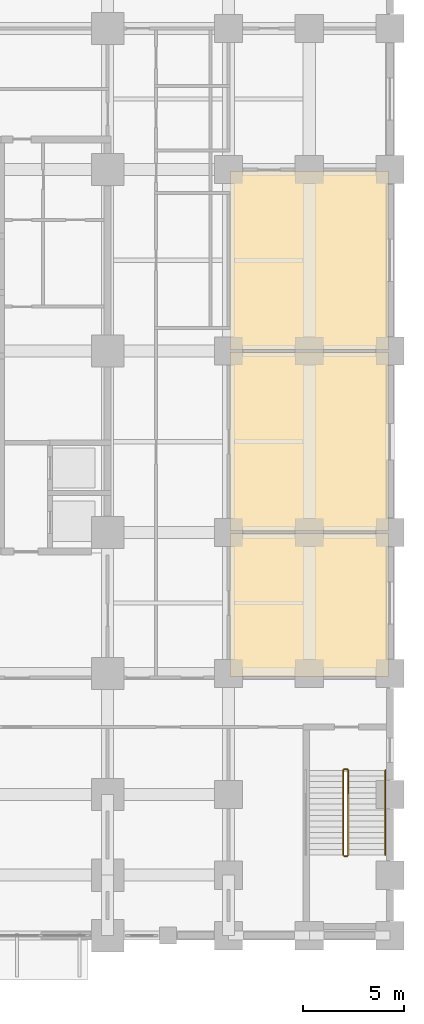
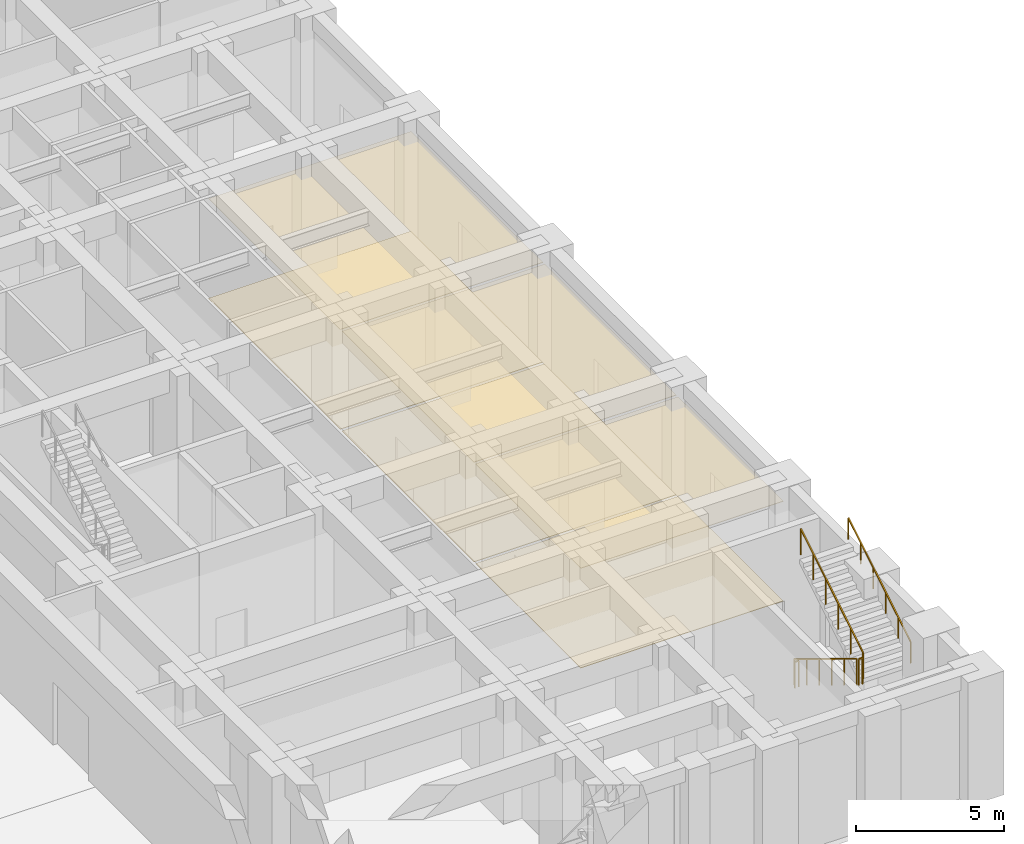
# One storey, part 18 of 20: 6 coverings, 5 railings.
"""IFC4 building model written with IfcOpenShell, lengths in metres."""

from ifc_helpers import new_model, si_unit, direction, frame, origin, origin_2d, place, context, subcontext, project, spatial, polyline, rectangle, outline, extrude, material, layer, layer_set, type_object, element, save


model = new_model("IFC4")

# Units and contexts
model_context = context("Model", 3, precision=1e-05, world=origin(), true_north=direction((0.0, 1.0)))
body_context = subcontext(model_context, "Body", "Model", "MODEL_VIEW")
ifc_project = project(units=[si_unit("LENGTHUNIT", "METRE"), si_unit("AREAUNIT", "SQUARE_METRE"), si_unit("VOLUMEUNIT", "CUBIC_METRE"), si_unit("PLANEANGLEUNIT", "RADIAN"), si_unit("MASSUNIT", "GRAM", prefix="KILO")], contexts=[model_context])

# Site, building, storey
site_placement = place(None, origin())
site = spatial("IfcSite", under=ifc_project, at=site_placement, CompositionType="ELEMENT")
building_placement = place(site_placement, origin())
building = spatial("IfcBuilding", under=site, at=building_placement, Name="Zulmaris Gate Convention Tower", CompositionType="ELEMENT")
storey_placement = place(building_placement, origin())
storey = spatial("IfcBuildingStorey", under=building, at=storey_placement, Name="L00", CompositionType="ELEMENT", Elevation=0.0)

# Coverings
ifc_material_1 = material(Name="Mineral Fibre Acoustic Ceiling Tile")
ifc_layer_1 = layer(ifc_material_1, 0.02001953125, Name="Mineral Fibre Acoustic Ceiling Tile")
ifc_layer_set_1 = layer_set([ifc_layer_1], Name="Mineral Fibre Acoustic Ceiling Tile")
covering_type_1 = type_object("IfcCoveringType", Name="CLG-ACOUSTIC-600", PredefinedType="CEILING", material=ifc_layer_set_1)
covering_1_placement = place(storey_placement, frame((0.0, 0.0, 4.099853515625)))
element("IfcCovering", 1, at=covering_1_placement, inside=storey, type_object=covering_type_1, Name="CLG-L00-R72", PredefinedType="CEILING", context=body_context, shape_type="SweptSolid", body=[
    extrude(outline(polyline([(26.06005859375, -16.139892578125), (33.93994140625, -16.139892578125), (33.93994140625, -9.06005859375), (26.06005859375, -9.06005859375), (26.06005859375, -16.139892578125)])), origin(), (0.0, 0.0, 1.0), 0.02001953125),
])
covering_2_placement = place(storey_placement, frame((0.0, 0.0, 4.099853515625)))
element("IfcCovering", 2, at=covering_2_placement, inside=storey, type_object=covering_type_1, Name="CLG-L00-R73", PredefinedType="CEILING", context=body_context, shape_type="SweptSolid", body=[
    extrude(outline(polyline([(26.06005859375, -8.93994140625), (33.93994140625, -8.93994140625), (33.93994140625, -0.06005859375), (26.06005859375, -0.06005859375), (26.06005859375, -8.93994140625)])), origin(), (0.0, 0.0, 1.0), 0.02001953125),
])
covering_3_placement = place(storey_placement, frame((0.0, 0.0, 4.099853515625)))
element("IfcCovering", 3, at=covering_3_placement, inside=storey, type_object=covering_type_1, Name="CLG-L00-R78", PredefinedType="CEILING", context=body_context, shape_type="SweptSolid", body=[
    extrude(outline(polyline([(26.06005859375, 0.06005859375), (33.93994140625, 0.06005859375), (33.93994140625, 8.93994140625), (26.06005859375, 8.93994140625), (26.06005859375, 0.06005859375)])), origin(), (0.0, 0.0, 1.0), 0.02001953125),
])
ifc_material_2 = material(Name="Polished Granite Terrazzo Tile", Category="masonry")
ifc_layer_2 = layer(ifc_material_2, 0.02001953125, Name="Polished Granite Terrazzo Tile")
ifc_layer_set_2 = layer_set([ifc_layer_2], Name="Polished Granite Terrazzo Tile")
covering_type_2 = type_object("IfcCoveringType", Name="FLR-TERRAZZO-30", PredefinedType="FLOORING", material=ifc_layer_set_2)
covering_4_placement = place(storey_placement, origin())
element("IfcCovering", 4, at=covering_4_placement, inside=storey, type_object=covering_type_2, Name="FLR-L00-R72", PredefinedType="FLOORING", context=body_context, shape_type="SweptSolid", body=[
    extrude(outline(polyline([(26.06005859375, -16.139892578125), (33.93994140625, -16.139892578125), (33.93994140625, -9.06005859375), (26.06005859375, -9.06005859375), (26.06005859375, -16.139892578125)])), origin(), (0.0, 0.0, 1.0), 0.02001953125),
])
covering_5_placement = place(storey_placement, origin())
element("IfcCovering", 5, at=covering_5_placement, inside=storey, type_object=covering_type_2, Name="FLR-L00-R73", PredefinedType="FLOORING", context=body_context, shape_type="SweptSolid", body=[
    extrude(outline(polyline([(26.06005859375, -8.93994140625), (33.93994140625, -8.93994140625), (33.93994140625, -0.06005859375), (26.06005859375, -0.06005859375), (26.06005859375, -8.93994140625)])), origin(), (0.0, 0.0, 1.0), 0.02001953125),
])
covering_6_placement = place(storey_placement, origin())
element("IfcCovering", 6, at=covering_6_placement, inside=storey, type_object=covering_type_2, Name="FLR-L00-R78", PredefinedType="FLOORING", context=body_context, shape_type="SweptSolid", body=[
    extrude(outline(polyline([(26.06005859375, 0.06005859375), (33.93994140625, 0.06005859375), (33.93994140625, 8.93994140625), (26.06005859375, 8.93994140625), (26.06005859375, 0.06005859375)])), origin(), (0.0, 0.0, 1.0), 0.02001953125),
])

# Railings
ifc_material_3 = material(Name="Painted Galvanised Steel", Category="steel")
railing_type_1 = type_object("IfcRailingType", Name="RL-STG-1150", PredefinedType="GUARDRAIL", material=ifc_material_3)
railing_1_placement = place(storey_placement, frame((31.679931640625, -20.800048828125, 0.169921875)))
element("IfcRailing", 7, at=railing_1_placement, inside=storey, type_object=railing_type_1, Name="L00 ST-6 stair guard 1", PredefinedType="GUARDRAIL", context=body_context, shape_type="SweptSolid", body=[
    extrude(rectangle(XDim=0.048095703125, YDim=0.048095703125, at=origin_2d()), frame((0.0, 0.0, 1.076171875), z_axis=(0.0, -0.854780430106, 0.518989803665), x_axis=(1.0, 0.0, 0.0)), (0.0, 0.0, 1.0), 4.91357421875),
    extrude(rectangle(XDim=0.0419921875, YDim=0.0419921875, at=origin_2d()), origin(), (0.0, 0.0, 1.0), 1.052001953125),
    extrude(rectangle(XDim=0.0419921875, YDim=0.0419921875, at=origin_2d()), frame((0.0, -0.840087890625, 0.510009765625)), (0.0, 0.0, 1.0), 1.052001953125),
    extrude(rectangle(XDim=0.0419921875, YDim=0.0419921875, at=origin_2d()), frame((0.0, -1.679931640625, 1.02001953125)), (0.0, 0.0, 1.0), 1.052001953125),
    extrude(rectangle(XDim=0.0419921875, YDim=0.0419921875, at=origin_2d()), frame((0.0, -2.52001953125, 1.530029296875)), (0.0, 0.0, 1.0), 1.052001953125),
    extrude(rectangle(XDim=0.0419921875, YDim=0.0419921875, at=origin_2d()), frame((0.0, -3.35986328125, 2.0400390625)), (0.0, 0.0, 1.0), 1.052001953125),
    extrude(rectangle(XDim=0.0419921875, YDim=0.0419921875, at=origin_2d()), frame((0.0, -4.199951171875, 2.550048828125)), (0.0, 0.0, 1.0), 1.052001953125),
])
railing_2_placement = place(storey_placement, frame((31.72998046875, -25.050048828125, 2.719970703125)))
element("IfcRailing", 8, at=railing_2_placement, inside=storey, type_object=railing_type_1, Name="L00 ST-6 stair guard 2", PredefinedType="GUARDRAIL", context=body_context, shape_type="SweptSolid", body=[
    extrude(rectangle(XDim=0.048095703125, YDim=0.048095703125, at=origin_2d()), frame((0.0, 0.0, 1.076171875), z_axis=(1.0, 0.0, 0.0), x_axis=(0.0, 1.0, 0.0)), (0.0, 0.0, 1.0), 0.14990234375),
    extrude(rectangle(XDim=0.0419921875, YDim=0.0419921875, at=origin_2d()), origin(), (0.0, 0.0, 1.0), 1.052001953125),
    extrude(rectangle(XDim=0.0419921875, YDim=0.0419921875, at=origin_2d()), frame((0.14990234375, 0.0, 0.0)), (0.0, 0.0, 1.0), 1.052001953125),
])
railing_3_placement = place(storey_placement, frame((31.929931640625, -25.0, 2.889892578125)))
element("IfcRailing", 9, at=railing_3_placement, inside=storey, type_object=railing_type_1, Name="L00 ST-6 stair guard 3", PredefinedType="GUARDRAIL", context=body_context, shape_type="SweptSolid", body=[
    extrude(rectangle(XDim=0.048095703125, YDim=0.048095703125, at=origin_2d()), frame((0.0, 0.0, 1.076171875), z_axis=(0.0, 0.854780430106, 0.518989803665), x_axis=(-1.0, 0.0, 0.0)), (0.0, 0.0, 1.0), 4.91357421875),
    extrude(rectangle(XDim=0.0419921875, YDim=0.0419921875, at=origin_2d()), origin(), (0.0, 0.0, 1.0), 1.052001953125),
    extrude(rectangle(XDim=0.0419921875, YDim=0.0419921875, at=origin_2d()), frame((0.0, 0.840087890625, 0.510009765625)), (0.0, 0.0, 1.0), 1.052001953125),
    extrude(rectangle(XDim=0.0419921875, YDim=0.0419921875, at=origin_2d()), frame((0.0, 1.679931640625, 1.02001953125)), (0.0, 0.0, 1.0), 1.052001953125),
    extrude(rectangle(XDim=0.0419921875, YDim=0.0419921875, at=origin_2d()), frame((0.0, 2.52001953125, 1.530029296875)), (0.0, 0.0, 1.0), 1.052001953125),
    extrude(rectangle(XDim=0.0419921875, YDim=0.0419921875, at=origin_2d()), frame((0.0, 3.35986328125, 2.0400390625)), (0.0, 0.0, 1.0), 1.052001953125),
    extrude(rectangle(XDim=0.0419921875, YDim=0.0419921875, at=origin_2d()), frame((0.0, 4.199951171875, 2.550048828125)), (0.0, 0.0, 1.0), 1.052001953125),
])
railing_4_placement = place(storey_placement, frame((31.72998046875, -20.75, 0.0)))
element("IfcRailing", 10, at=railing_4_placement, inside=storey, type_object=railing_type_1, Name="L00 ST-6 stair guard 4", PredefinedType="GUARDRAIL", context=body_context, shape_type="SweptSolid", body=[
    extrude(rectangle(XDim=0.048095703125, YDim=0.048095703125, at=origin_2d()), frame((0.0, 0.0, 1.076171875), z_axis=(1.0, 0.0, 0.0), x_axis=(0.0, 1.0, 0.0)), (0.0, 0.0, 1.0), 0.14990234375),
    extrude(rectangle(XDim=0.0419921875, YDim=0.0419921875, at=origin_2d()), origin(), (0.0, 0.0, 1.0), 1.052001953125),
    extrude(rectangle(XDim=0.0419921875, YDim=0.0419921875, at=origin_2d()), frame((0.14990234375, 0.0, 0.0)), (0.0, 0.0, 1.0), 1.052001953125),
])
ifc_material_4 = material(Name="Brushed Stainless Steel", Category="steel")
railing_type_2 = type_object("IfcRailingType", Name="RL-STH-900", PredefinedType="HANDRAIL", material=ifc_material_4)
railing_5_placement = place(storey_placement, frame((33.780029296875, -25.0, 2.889892578125)))
element("IfcRailing", 11, at=railing_5_placement, inside=storey, type_object=railing_type_2, Name="L00 ST-6 stair handrail 2", PredefinedType="HANDRAIL", context=body_context, shape_type="SweptSolid", body=[
    extrude(rectangle(XDim=0.048095703125, YDim=0.048095703125, at=origin_2d()), frame((0.0, 0.0, 0.8759765625), z_axis=(0.0, 0.854780430106, 0.518989803665), x_axis=(-1.0, 0.0, 0.0)), (0.0, 0.0, 1.0), 4.91357421875),
    extrude(rectangle(XDim=0.0419921875, YDim=0.0419921875, at=origin_2d()), origin(), (0.0, 0.0, 1.0), 0.851806640625),
    extrude(rectangle(XDim=0.0419921875, YDim=0.0419921875, at=origin_2d()), frame((0.0, 0.840087890625, 0.510009765625)), (0.0, 0.0, 1.0), 0.851806640625),
    extrude(rectangle(XDim=0.0419921875, YDim=0.0419921875, at=origin_2d()), frame((0.0, 1.679931640625, 1.02001953125)), (0.0, 0.0, 1.0), 0.851806640625),
    extrude(rectangle(XDim=0.0419921875, YDim=0.0419921875, at=origin_2d()), frame((0.0, 2.52001953125, 1.530029296875)), (0.0, 0.0, 1.0), 0.851806640625),
    extrude(rectangle(XDim=0.0419921875, YDim=0.0419921875, at=origin_2d()), frame((0.0, 3.35986328125, 2.0400390625)), (0.0, 0.0, 1.0), 0.851806640625),
    extrude(rectangle(XDim=0.0419921875, YDim=0.0419921875, at=origin_2d()), frame((0.0, 4.199951171875, 2.550048828125)), (0.0, 0.0, 1.0), 0.851806640625),
])

save(model, "model.ifc")
